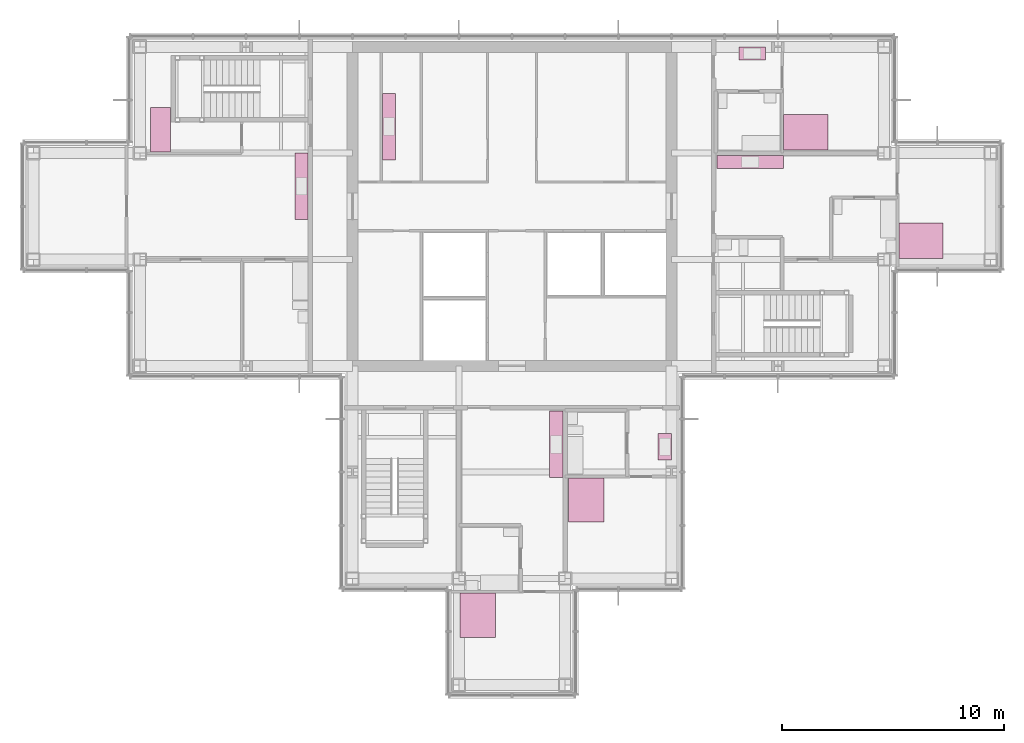
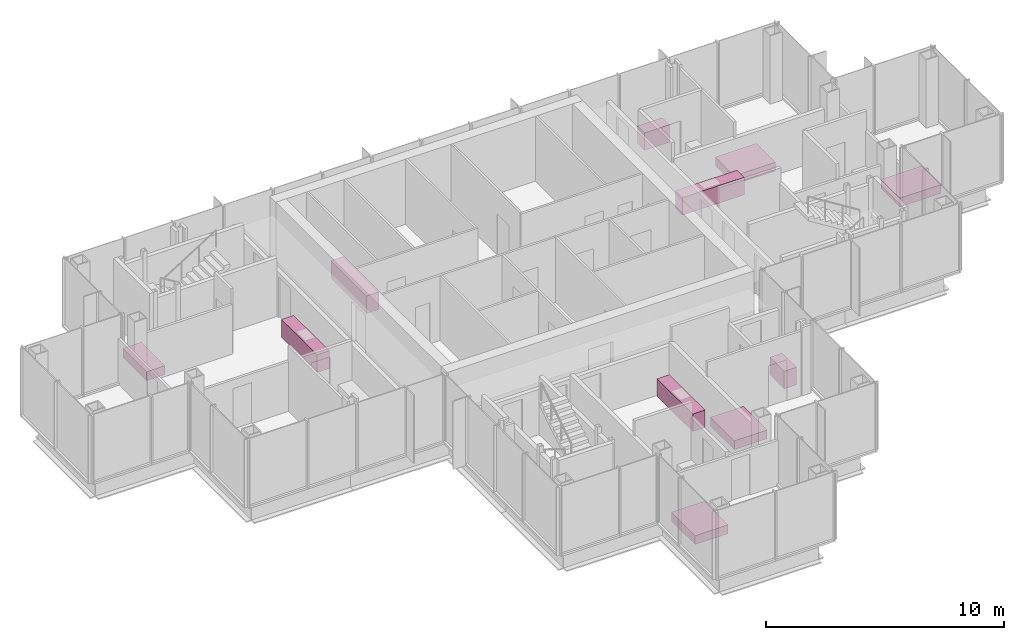
# One storey, part 15 of 15: 11 furniture elements.
"""IFC4 building model written with IfcOpenShell, lengths in metres."""

from ifc_helpers import new_model, si_unit, direction, frame, origin, origin_2d, place, context, subcontext, project, spatial, rectangle, extrude, material, type_object, element, save


model = new_model("IFC4")

# Units and contexts
model_context = context("Model", 3, precision=1e-05, world=origin(), true_north=direction((0.0, 1.0)))
body_context = subcontext(model_context, "Body", "Model", "MODEL_VIEW")
ifc_project = project(units=[si_unit("LENGTHUNIT", "METRE"), si_unit("AREAUNIT", "SQUARE_METRE"), si_unit("VOLUMEUNIT", "CUBIC_METRE"), si_unit("PLANEANGLEUNIT", "RADIAN"), si_unit("MASSUNIT", "GRAM", prefix="KILO")], contexts=[model_context])

# Site, building, storey
site_placement = place(None, origin())
site = spatial("IfcSite", under=ifc_project, at=site_placement, CompositionType="ELEMENT")
building_placement = place(site_placement, origin())
building = spatial("IfcBuilding", under=site, at=building_placement, Name="Kvirike Care Tower", CompositionType="ELEMENT")
storey_placement = place(building_placement, frame((0.0, 0.0, 222.5)))
storey = spatial("IfcBuildingStorey", under=building, at=storey_placement, Name="L61", CompositionType="ELEMENT", Elevation=222.5)

# Furniture
ifc_material_1 = material(Name="Timber", Category="wood")
furniture_type_1 = type_object("IfcFurnitureType", Name="DOUBLE BED 1600 x 2000", AssemblyPlace="FACTORY", PredefinedType="BED", material=ifc_material_1)
for number, where, z_axis, x_axis, name in (
    (1, (20.050048828125, 17.5380859375, 0.0), (0.0, 0.0, 1.0), (1.0, 0.0, 0.0), "Double bed L61-011"),
    (2, (24.949951171875, 22.738037109375, 0.0), (0.0, 0.0, 1.0), (1.0, 0.0, 0.0), "Double bed L61-014"),
    (3, (40.06201171875, 34.449951171875, 0.0), (0.0, 0.0, 1.0), (0.0, 1.0, 0.0), "Double bed L61-020"),
    (4, (34.862060546875, 39.35009765625, 0.0), (0.0, 0.0, 1.0), (0.0, 1.0, 0.0), "Double bed L61-024"),
):
    element("IfcFurniture", number, at=place(storey_placement, frame(where, z_axis=z_axis, x_axis=x_axis)), inside=storey, type_object=furniture_type_1, Name=name, PredefinedType="BED", context=body_context, shape_type="SweptSolid", body=[
        extrude(rectangle(XDim=1.60009765625, YDim=2.0, at=origin_2d()), origin(), (0.0, 0.0, 1.0), 0.449951171875),
    ])
ifc_material_2 = material(Name="Laminated board", Category="wood")
furniture_type_2 = type_object("IfcFurnitureType", Name="KITCHEN UNIT RUN 600", AssemblyPlace="FACTORY", PredefinedType="USERDEFINED", material=ifc_material_2)
for number, where, z_axis, x_axis, name in (
    (5, (12.097900390625, 36.89990234375, 0.0), (0.0, 0.0, 1.0), (0.0, -1.0, 0.0), "Kitchen unit run L61-007"),
    (6, (23.597900390625, 25.25, 0.0), (0.0, 0.0, 1.0), (0.0, -1.0, 0.0), "Kitchen unit run L61-013"),
):
    element("IfcFurniture", number, at=place(storey_placement, frame(where, z_axis=z_axis, x_axis=x_axis)), inside=storey, type_object=furniture_type_2, Name=name, ObjectType="KITCHEN UNIT", PredefinedType="USERDEFINED", context=body_context, shape_type="SweptSolid", body=[
        extrude(rectangle(XDim=3.0, YDim=0.60009765625, at=origin_2d()), origin(), (0.0, 0.0, 1.0), 0.89990234375),
    ])
furniture_1_placement = place(storey_placement, frame((28.498046875, 25.14990234375, 0.0), z_axis=(0.0, 0.0, 1.0), x_axis=(0.0, -1.0, 0.0)))
element("IfcFurniture", 7, at=furniture_1_placement, inside=storey, type_object=furniture_type_2, Name="Kitchen unit run L61-016", ObjectType="KITCHEN UNIT", PredefinedType="USERDEFINED", context=body_context, shape_type="SweptSolid", body=[
    extrude(rectangle(XDim=1.199951171875, YDim=0.60009765625, at=origin_2d()), origin(), (0.0, 0.0, 1.0), 0.89990234375),
])
furniture_2_placement = place(storey_placement, frame((32.35009765625, 37.998046875, 0.0), z_axis=(0.0, 0.0, 1.0), x_axis=(1.0, 0.0, 0.0)))
element("IfcFurniture", 8, at=furniture_2_placement, inside=storey, type_object=furniture_type_2, Name="Kitchen unit run L61-023", ObjectType="KITCHEN UNIT", PredefinedType="USERDEFINED", context=body_context, shape_type="SweptSolid", body=[
    extrude(rectangle(XDim=3.0, YDim=0.60009765625, at=origin_2d()), origin(), (0.0, 0.0, 1.0), 0.89990234375),
])
furniture_3_placement = place(storey_placement, frame((32.449951171875, 42.89794921875, 0.0), z_axis=(0.0, 0.0, 1.0), x_axis=(1.0, 0.0, 0.0)))
element("IfcFurniture", 9, at=furniture_3_placement, inside=storey, type_object=furniture_type_2, Name="Kitchen unit run L61-026", ObjectType="KITCHEN UNIT", PredefinedType="USERDEFINED", context=body_context, shape_type="SweptSolid", body=[
    extrude(rectangle(XDim=1.199951171875, YDim=0.60009765625, at=origin_2d()), origin(), (0.0, 0.0, 1.0), 0.89990234375),
])
furniture_4_placement = place(storey_placement, frame((16.052001953125, 39.60009765625, 0.0), z_axis=(0.0, 0.0, 1.0), x_axis=(0.0, 1.0, 0.0)))
element("IfcFurniture", 10, at=furniture_4_placement, inside=storey, type_object=furniture_type_2, Name="Kitchen unit run L61-033", ObjectType="KITCHEN UNIT", PredefinedType="USERDEFINED", context=body_context, shape_type="SweptSolid", body=[
    extrude(rectangle(XDim=3.0, YDim=0.60009765625, at=origin_2d()), origin(), (0.0, 0.0, 1.0), 0.89990234375),
])
ifc_material_3 = material(Name="Timber", Category="wood")
furniture_type_3 = type_object("IfcFurnitureType", Name="SINGLE BED 900 x 2000", AssemblyPlace="FACTORY", PredefinedType="BED", material=ifc_material_3)
furniture_5_placement = place(storey_placement, frame((5.739990234375, 39.4619140625, 0.0), z_axis=(0.0, 0.0, 1.0), x_axis=(-1.0, 0.0, 0.0)))
element("IfcFurniture", 11, at=furniture_5_placement, inside=storey, type_object=furniture_type_3, Name="Single bed L61-003", PredefinedType="BED", context=body_context, shape_type="SweptSolid", body=[
    extrude(rectangle(XDim=0.89990234375, YDim=2.0, at=origin_2d()), origin(), (0.0, 0.0, 1.0), 0.449951171875),
])

save(model, "model.ifc")
